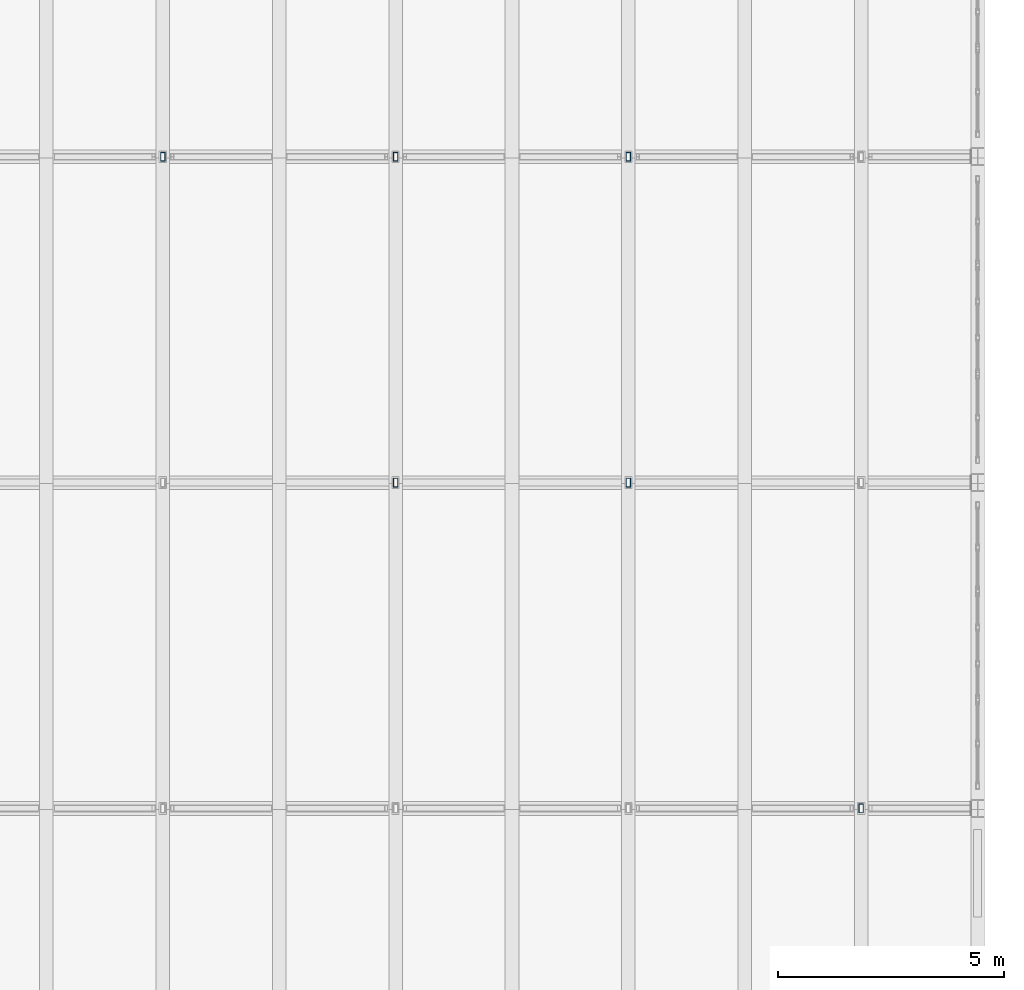
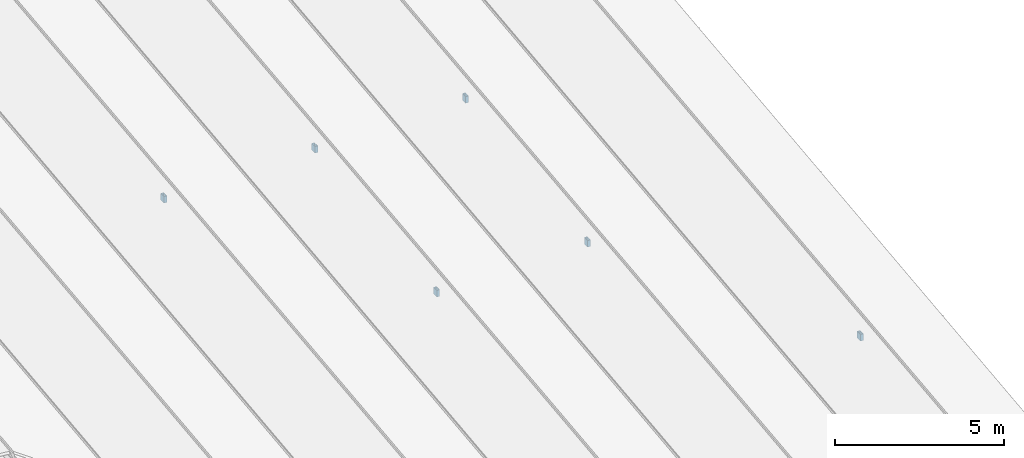
# One storey, part 25 of 48: 6 members.
"""IFC4 building model written with IfcOpenShell, lengths in metres."""

from ifc_helpers import new_model, si_unit, direction, frame, origin, origin_2d, place, context, subcontext, project, spatial, hollow_rectangle, extrude, material, material_profile, profile_set, type_object, element, save


model = new_model("IFC4")

# Units and contexts
model_context = context("Model", 3, precision=1e-05, world=origin(), true_north=direction((0.0, 1.0)))
body_context = subcontext(model_context, "Body", "Model", "MODEL_VIEW")
ifc_project = project(units=[si_unit("LENGTHUNIT", "METRE"), si_unit("AREAUNIT", "SQUARE_METRE"), si_unit("VOLUMEUNIT", "CUBIC_METRE"), si_unit("PLANEANGLEUNIT", "RADIAN"), si_unit("MASSUNIT", "GRAM", prefix="KILO"), si_unit("THERMODYNAMICTEMPERATUREUNIT", "KELVIN"), si_unit("POWERUNIT", "WATT")], contexts=[model_context])

# Site, building, storey
site_placement = place(None, origin())
site = spatial("IfcSite", under=ifc_project, at=site_placement, CompositionType="ELEMENT")
building_placement = place(site_placement, origin())
building = spatial("IfcBuilding", under=site, at=building_placement, Name="Kaldorven Railside Theatre", CompositionType="ELEMENT")
storey_placement = place(building_placement, frame((0.0, 0.0, 18.89990234375)))
storey = spatial("IfcBuildingStorey", under=building, at=storey_placement, Name="L04", CompositionType="ELEMENT", Elevation=18.89990234375)

# Members
ifc_material = material(Name="Steel S355", Category="steel")
ifc_material_profile = material_profile(ifc_material, hollow_rectangle(XDim=0.10009765625, YDim=0.199951171875, WallThickness=0.008056640625, at=origin_2d()), Name="RHS 200x100x8")
ifc_profile_set = profile_set([ifc_material_profile], Name="Steel S355")
member_type = type_object("IfcMemberType", Name="MEM-RHS200", PredefinedType="STRUT", material=ifc_profile_set)
for number, where, z_axis, x_axis, name in (
    (1, (105.199951171875, 62.39990234375, 2.223876953125), (0.0, 0.0, 1.0), (1.0, 0.0, 0.0), "V1 Folded-Roof King-Post Strut STR-023"),
    (2, (110.3427734375, 55.199951171875, 1.40380859375), (0.0, 0.0, 1.0), (1.0, 0.0, 0.0), "V1 Folded-Roof King-Post Strut STR-027"),
    (3, (110.3427734375, 62.39990234375, 2.223876953125), (0.0, 0.0, 1.0), (1.0, 0.0, 0.0), "V1 Folded-Roof King-Post Strut STR-028"),
    (4, (115.485595703125, 55.199951171875, 1.40380859375), (0.0, 0.0, 1.0), (1.0, 0.0, 0.0), "V1 Folded-Roof King-Post Strut STR-032"),
    (5, (115.485595703125, 62.39990234375, 2.223876953125), (0.0, 0.0, 1.0), (1.0, 0.0, 0.0), "V1 Folded-Roof King-Post Strut STR-033"),
    (6, (120.62841796875, 48.0, 0.583740234375), (0.0, 0.0, 1.0), (1.0, 0.0, 0.0), "V1 Folded-Roof King-Post Strut STR-036"),
):
    element("IfcMember", number, at=place(storey_placement, frame(where, z_axis=z_axis, x_axis=x_axis)), inside=storey, type_object=member_type, Name=name, PredefinedType="STRUT", context=body_context, shape_type="SweptSolid", body=[
        extrude(hollow_rectangle(XDim=0.10009765625, YDim=0.199951171875, WallThickness=0.008056640625, at=origin_2d()), origin(), (0.0, 0.0, 1.0), 0.235595703125),
    ])

save(model, "model.ifc")
